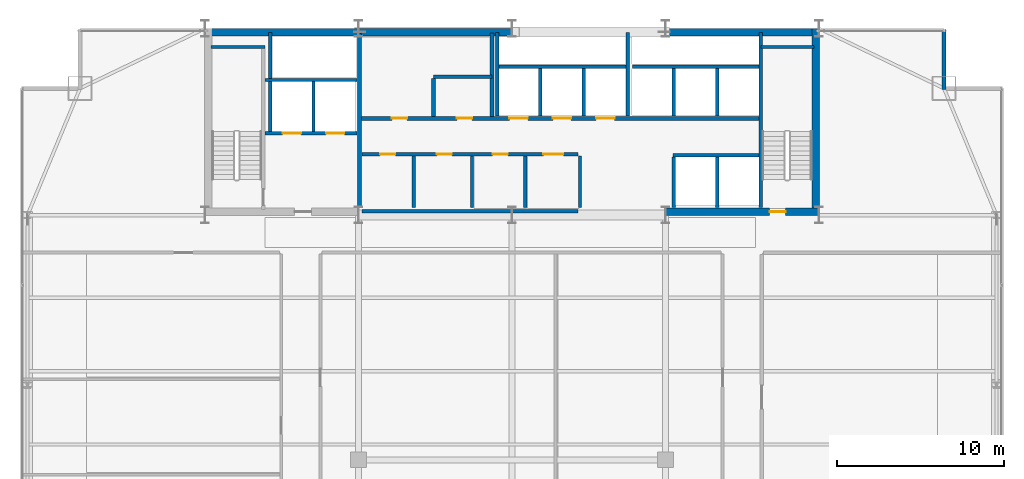
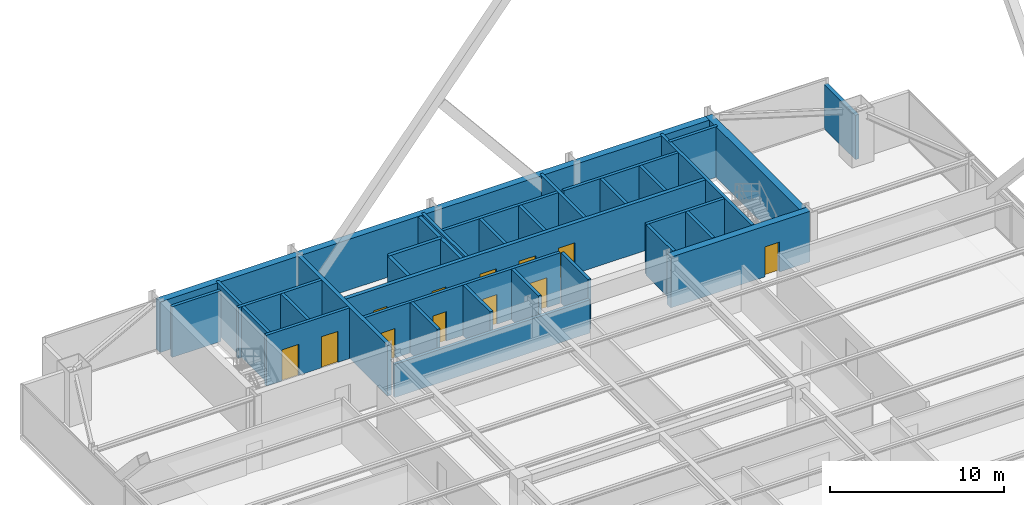
# One storey, part 35 of 38: 33 walls, 12 doors, 12 openings.
"""IFC4 building model written with IfcOpenShell, lengths in metres."""

from ifc_helpers import new_model, si_unit, direction, frame, frame_2d, origin, place, context, subcontext, project, spatial, rectangle, extrude, source, transform, mapped, material, layer, layer_set, type_object, type_shapes, element, fill, save


model = new_model("IFC4")

# Units and contexts
model_context = context("Model", 3, precision=1e-05, world=origin(), true_north=direction((0.0, 1.0)))
body_context = subcontext(model_context, "Body", "Model", "MODEL_VIEW")
ifc_project = project(units=[si_unit("LENGTHUNIT", "METRE"), si_unit("AREAUNIT", "SQUARE_METRE"), si_unit("VOLUMEUNIT", "CUBIC_METRE"), si_unit("PLANEANGLEUNIT", "RADIAN"), si_unit("MASSUNIT", "GRAM", prefix="KILO")], contexts=[model_context])

# Site, building, storey
site_placement = place(None, origin())
site = spatial("IfcSite", under=ifc_project, at=site_placement, CompositionType="ELEMENT")
building_placement = place(site_placement, origin())
building = spatial("IfcBuilding", under=site, at=building_placement, Name="Varnel Quay Broadcast Tower", CompositionType="ELEMENT")
storey_placement = place(building_placement, frame((0.0, 0.0, 118.199951171875)))
storey = spatial("IfcBuildingStorey", under=building, at=storey_placement, Name="L28", CompositionType="ELEMENT", Elevation=118.199951171875)

# Wall
ifc_material_1 = material(Name="Concrete CSA A23.3 C50/60", Category="concrete")
ifc_layer_1 = layer(ifc_material_1, 0.199951171875, Name="Concrete CSA A23.3 C50/60")
ifc_layer_set_1 = layer_set([ifc_layer_1], Name="Concrete CSA A23.3 C50/60")
wall_type_1 = type_object("IfcWallType", Name="Wall_CoreShaftShear200", PredefinedType="SHEAR", material=ifc_layer_set_1)
wall_1_placement = place(storey_placement, frame((15.949951171875, 45.679931640625, 0.0), z_axis=(0.0, 0.0, 1.0), x_axis=(1.0, 0.0, 0.0)))
element("IfcWall", 1, at=wall_1_placement, inside=storey, type_object=wall_type_1, Name="L28 Stair 1 North Structural Wall", PredefinedType="SHEAR", context=body_context, shape_type="SweptSolid", body=[
    extrude(rectangle(XDim=3.22998046875, YDim=0.199951171875, at=frame_2d((1.614990234375, 0.0))), origin(), (0.0, 0.0, 1.0), 3.550048828125),
])

# Wall, openings, doors
wall_2_placement = place(storey_placement, frame((19.199951171875, 40.5, 0.0), z_axis=(0.0, 0.0, 1.0), x_axis=(1.0, 0.0, 0.0)))
wall_2 = element("IfcWall", 2, at=wall_2_placement, inside=storey, type_object=wall_type_1, Name="L28 Firefighter Lift Shaft Front Wall", PredefinedType="SHEAR", context=body_context, shape_type="SweptSolid", body=[
    extrude(rectangle(XDim=5.52001953125, YDim=0.199951171875, at=frame_2d((2.760009765625, 0.0))), origin(), (0.0, 0.0, 1.0), 3.550048828125),
])
opening_1_placement = place(wall_2_placement, frame((1.050048828125, 0.0, 0.0)))
opening_1 = element("IfcOpeningElement", 3, at=opening_1_placement, cuts=wall_2, Name="Opening LD-L28-FE1", PredefinedType="OPENING", context=body_context, shape_type="SweptSolid", body=[
    extrude(rectangle(XDim=1.10009765625, YDim=2.179931640625, at=frame_2d((0.550048828125, 1.08984375))), frame((0.0, 0.10986328125, 0.0), z_axis=(0.0, -1.0, 0.0), x_axis=(1.0, 0.0, 0.0)), (0.0, 0.0, 1.0), 0.219970703125),
])
opening_2_placement = place(wall_2_placement, frame((3.64990234375, 0.0, 0.0)))
opening_2 = element("IfcOpeningElement", 4, at=opening_2_placement, cuts=wall_2, Name="Opening LD-L28-FE2", PredefinedType="OPENING", context=body_context, shape_type="SweptSolid", body=[
    extrude(rectangle(XDim=1.10009765625, YDim=2.179931640625, at=frame_2d((0.550048828125, 1.08984375))), frame((0.0, 0.10986328125, 0.0), z_axis=(0.0, -1.0, 0.0), x_axis=(1.0, 0.0, 0.0)), (0.0, 0.0, 1.0), 0.219970703125),
])
ifc_material_2 = material(Name="Brushed Bronze-Stainless Lift Car & Sliding Doors", Category="steel")
door_type_1 = type_object("IfcDoorType", Name="Door_LiftLanding1100", OperationType="SLIDING_TO_LEFT", PredefinedType="DOOR", material=ifc_material_2)
shared_shape_1 = source(origin(), body_context, "Body", "SweptSolid", [
    extrude(rectangle(XDim=1.10009765625, YDim=2.179931640625, at=frame_2d((0.550048828125, 1.08984375))), frame((0.0, 0.02490234375, 0.0), z_axis=(0.0, -1.0, 0.0), x_axis=(1.0, 0.0, 0.0)), (0.0, 0.0, 1.0), 0.050048828125),
])
type_shapes(door_type_1, [shared_shape_1])
door_1_placement = place(opening_1_placement, frame((1.10009765625, 0.0, 0.0), z_axis=(0.0, 0.0, 1.0), x_axis=(-1.0, 0.0, 0.0)))
door_1 = element("IfcDoor", 5, at=door_1_placement, inside=storey, type_object=door_type_1, Name="L28 Firefighter Lift FE-01 Landing Door", OperationType="SLIDING_TO_LEFT", OverallHeight=2.179931640625, OverallWidth=1.10009765625, PredefinedType="DOOR", context=body_context, shape_type="MappedRepresentation", body=[
    mapped(shared_shape_1, transform((0.0, 0.0, 0.0), x_axis=(1.0, 0.0, 0.0), y_axis=(0.0, 1.0, 0.0), z_axis=(0.0, 0.0, 1.0), scale=1.0)),
])
fill(opening_1, door_1)
door_2_placement = place(opening_2_placement, frame((1.10009765625, 0.0, 0.0), z_axis=(0.0, 0.0, 1.0), x_axis=(-1.0, 0.0, 0.0)))
door_2 = element("IfcDoor", 6, at=door_2_placement, inside=storey, type_object=door_type_1, Name="L28 Firefighter Lift FE-02 Landing Door", OperationType="SLIDING_TO_RIGHT", OverallHeight=2.179931640625, OverallWidth=1.10009765625, PredefinedType="DOOR", context=body_context, shape_type="MappedRepresentation", body=[
    mapped(shared_shape_1, transform((0.0, 0.0, 0.0), x_axis=(1.0, 0.0, 0.0), y_axis=(0.0, 1.0, 0.0), z_axis=(0.0, 0.0, 1.0), scale=1.0)),
])
fill(opening_2, door_2)

# Walls
wall_3_placement = place(storey_placement, frame((19.199951171875, 43.699951171875, 0.0), z_axis=(0.0, 0.0, 1.0), x_axis=(1.0, 0.0, 0.0)))
element("IfcWall", 7, at=wall_3_placement, inside=storey, type_object=wall_type_1, Name="L28 Firefighter Lift Shaft Rear Wall", PredefinedType="SHEAR", context=body_context, shape_type="SweptSolid", body=[
    extrude(rectangle(XDim=5.52001953125, YDim=0.199951171875, at=frame_2d((2.760009765625, 0.0))), origin(), (0.0, 0.0, 1.0), 3.550048828125),
])
wall_4_placement = place(storey_placement, frame((22.10009765625, 40.60009765625, 0.0), z_axis=(0.0, 0.0, 1.0), x_axis=(0.0, 1.0, 0.0)))
element("IfcWall", 8, at=wall_4_placement, inside=storey, type_object=wall_type_1, Name="L28 Firefighter Lift Shaft Divider", PredefinedType="SHEAR", context=body_context, shape_type="SweptSolid", body=[
    extrude(rectangle(XDim=3.0, YDim=0.199951171875, at=frame_2d((1.5, 0.0))), origin(), (0.0, 0.0, 1.0), 3.550048828125),
])
wall_5_placement = place(storey_placement, frame((19.5, 40.60009765625, 0.0), z_axis=(0.0, 0.0, 1.0), x_axis=(0.0, 1.0, 0.0)))
element("IfcWall", 9, at=wall_5_placement, inside=storey, type_object=wall_type_1, Name="L28 Firefighter Lift Shaft West Wall", PredefinedType="SHEAR", context=body_context, shape_type="SweptSolid", body=[
    extrude(rectangle(XDim=5.949951171875, YDim=0.199951171875, at=frame_2d((2.97509765625, 0.0))), origin(), (0.0, 0.0, 1.0), 3.550048828125),
])
wall_6_placement = place(storey_placement, frame((48.919921875, 36.050048828125, 0.0), z_axis=(0.0, 0.0, 1.0), x_axis=(0.0, 1.0, 0.0)))
element("IfcWall", 10, at=wall_6_placement, inside=storey, type_object=wall_type_1, Name="L28 Stair 2 West Structural Wall", PredefinedType="SHEAR", context=body_context, shape_type="SweptSolid", body=[
    extrude(rectangle(XDim=10.5, YDim=0.199951171875, at=frame_2d((5.25, 0.0))), origin(), (0.0, 0.0, 1.0), 3.550048828125),
])
wall_7_placement = place(storey_placement, frame((48.919921875, 45.679931640625, 0.0), z_axis=(0.0, 0.0, 1.0), x_axis=(1.0, 0.0, 0.0)))
element("IfcWall", 11, at=wall_7_placement, inside=storey, type_object=wall_type_1, Name="L28 Stair 2 North Structural Wall", PredefinedType="SHEAR", context=body_context, shape_type="SweptSolid", body=[
    extrude(rectangle(XDim=3.18017578125, YDim=0.199951171875, at=frame_2d((1.590087890625, 0.0))), origin(), (0.0, 0.0, 1.0), 3.550048828125),
])
wall_8_placement = place(storey_placement, frame((33.219970703125, 44.5, 0.0), z_axis=(0.0, 0.0, 1.0), x_axis=(1.0, 0.0, 0.0)))
element("IfcWall", 12, at=wall_8_placement, inside=storey, type_object=wall_type_1, Name="L28 Mid-Rise Lift Shaft Rear Wall", PredefinedType="SHEAR", context=body_context, shape_type="SweptSolid", body=[
    extrude(rectangle(XDim=7.630126953125, YDim=0.199951171875, at=frame_2d((3.81494140625, 0.0))), origin(), (0.0, 0.0, 1.0), 3.550048828125),
])
wall_9_placement = place(storey_placement, frame((33.1201171875, 41.530029296875, 0.0), z_axis=(0.0, 0.0, 1.0), x_axis=(0.0, 1.0, 0.0)))
element("IfcWall", 13, at=wall_9_placement, inside=storey, type_object=wall_type_1, Name="L28 Mid-Rise Lift Shaft Divider 1", PredefinedType="SHEAR", context=body_context, shape_type="SweptSolid", body=[
    extrude(rectangle(XDim=5.02001953125, YDim=0.199951171875, at=frame_2d((2.510009765625, 0.0))), origin(), (0.0, 0.0, 1.0), 3.550048828125),
])
for number, where, z_axis, x_axis, name in (
    (14, (35.699951171875, 41.530029296875, 0.0), (0.0, 0.0, 1.0), (0.0, 1.0, 0.0), "L28 Mid-Rise Lift Shaft Divider 2"),
    (15, (38.300048828125, 41.530029296875, 0.0), (0.0, 0.0, 1.0), (0.0, 1.0, 0.0), "L28 Mid-Rise Lift Shaft Divider 3"),
):
    element("IfcWall", number, at=place(storey_placement, frame(where, z_axis=z_axis, x_axis=x_axis)), inside=storey, type_object=wall_type_1, Name=name, PredefinedType="SHEAR", context=body_context, shape_type="SweptSolid", body=[
        extrude(rectangle(XDim=2.869873046875, YDim=0.199951171875, at=frame_2d((1.43505859375, 0.0))), origin(), (0.0, 0.0, 1.0), 3.550048828125),
    ])
wall_10_placement = place(storey_placement, frame((40.949951171875, 41.530029296875, 0.0), z_axis=(0.0, 0.0, 1.0), x_axis=(0.0, 1.0, 0.0)))
element("IfcWall", 16, at=wall_10_placement, inside=storey, type_object=wall_type_1, Name="L28 Mid-Rise Lift Shaft Divider 4", PredefinedType="SHEAR", context=body_context, shape_type="SweptSolid", body=[
    extrude(rectangle(XDim=5.02001953125, YDim=0.199951171875, at=frame_2d((2.510009765625, 0.0))), origin(), (0.0, 0.0, 1.0), 3.550048828125),
])
wall_11_placement = place(storey_placement, frame((41.219970703125, 44.5, 0.0), z_axis=(0.0, 0.0, 1.0), x_axis=(1.0, 0.0, 0.0)))
element("IfcWall", 17, at=wall_11_placement, inside=storey, type_object=wall_type_1, Name="L28 High-Rise Lift Shaft Rear Wall", PredefinedType="SHEAR", context=body_context, shape_type="SweptSolid", body=[
    extrude(rectangle(XDim=7.580078125, YDim=0.199951171875, at=frame_2d((3.7900390625, 0.0))), origin(), (0.0, 0.0, 1.0), 3.550048828125),
])
for number, where, z_axis, x_axis, name in (
    (18, (43.699951171875, 41.530029296875, 0.0), (0.0, 0.0, 1.0), (0.0, 1.0, 0.0), "L28 High-Rise Lift Shaft Divider 2"),
    (19, (46.300048828125, 41.530029296875, 0.0), (0.0, 0.0, 1.0), (0.0, 1.0, 0.0), "L28 High-Rise Lift Shaft Divider 3"),
):
    element("IfcWall", number, at=place(storey_placement, frame(where, z_axis=z_axis, x_axis=x_axis)), inside=storey, type_object=wall_type_1, Name=name, PredefinedType="SHEAR", context=body_context, shape_type="SweptSolid", body=[
        extrude(rectangle(XDim=2.869873046875, YDim=0.199951171875, at=frame_2d((1.43505859375, 0.0))), origin(), (0.0, 0.0, 1.0), 3.550048828125),
    ])
for number, where, z_axis, x_axis, name in (
    (20, (43.699951171875, 36.050048828125, 0.0), (0.0, 0.0, 1.0), (0.0, 1.0, 0.0), "L28 Express Lift Shaft West Wall"),
    (21, (46.300048828125, 36.050048828125, 0.0), (0.0, 0.0, 1.0), (0.0, 1.0, 0.0), "L28 Express Lift Shaft Divider"),
):
    element("IfcWall", number, at=place(storey_placement, frame(where, z_axis=z_axis, x_axis=x_axis)), inside=storey, type_object=wall_type_1, Name=name, PredefinedType="SHEAR", context=body_context, shape_type="SweptSolid", body=[
        extrude(rectangle(XDim=3.050048828125, YDim=0.199951171875, at=frame_2d((1.52490234375, 0.0))), origin(), (0.0, 0.0, 1.0), 3.550048828125),
    ])
wall_12_placement = place(storey_placement, frame((43.64990234375, 39.199951171875, 0.0), z_axis=(0.0, 0.0, 1.0), x_axis=(1.0, 0.0, 0.0)))
element("IfcWall", 22, at=wall_12_placement, inside=storey, type_object=wall_type_1, Name="L28 Express Lift Shaft North Front Wall", PredefinedType="SHEAR", context=body_context, shape_type="SweptSolid", body=[
    extrude(rectangle(XDim=5.150146484375, YDim=0.199951171875, at=frame_2d((2.5751953125, 0.0))), origin(), (0.0, 0.0, 1.0), 3.550048828125),
])
ifc_layer_2 = layer(ifc_material_1, 0.25, Name="Concrete CSA A23.3 C50/60")
ifc_layer_set_2 = layer_set([ifc_layer_2], Name="Concrete CSA A23.3 C50/60")
wall_type_2 = type_object("IfcWallType", Name="Wall_CoreShaftShear250", PredefinedType="SHEAR", material=ifc_layer_set_2)
wall_13_placement = place(storey_placement, frame((24.85009765625, 36.050048828125, 0.0), z_axis=(0.0, 0.0, 1.0), x_axis=(0.0, 1.0, 0.0)))
element("IfcWall", 23, at=wall_13_placement, inside=storey, type_object=wall_type_2, Name="L28 Firefighting Lobby East Structural Wall", PredefinedType="SHEAR", context=body_context, shape_type="SweptSolid", body=[
    extrude(rectangle(XDim=10.449951171875, YDim=0.25, at=frame_2d((5.22509765625, 0.0))), origin(), (0.0, 0.0, 1.0), 3.550048828125),
])

# Wall, openings, doors
wall_14_placement = place(storey_placement, frame((24.97998046875, 41.39990234375, 0.0), z_axis=(0.0, 0.0, 1.0), x_axis=(1.0, 0.0, 0.0)))
wall_14 = element("IfcWall", 24, at=wall_14_placement, inside=storey, type_object=wall_type_2, Name="L28 North Lift Bank & Reclaimed Suite Wall", PredefinedType="SHEAR", context=body_context, shape_type="SweptSolid", body=[
    extrude(rectangle(XDim=23.820068359375, YDim=0.25, at=frame_2d((11.91015625, 0.0))), origin(), (0.0, 0.0, 1.0), 3.550048828125),
])
opening_3_placement = place(wall_14_placement, frame((8.8701171875, 0.0, 0.0)))
opening_3 = element("IfcOpeningElement", 25, at=opening_3_placement, cuts=wall_14, Name="Opening LD-L28-PM-01", PredefinedType="OPENING", context=body_context, shape_type="SweptSolid", body=[
    extrude(rectangle(XDim=1.10009765625, YDim=2.179931640625, at=frame_2d((0.550048828125, 1.08984375))), frame((0.0, 0.135009765625, 0.0), z_axis=(0.0, -1.0, 0.0), x_axis=(1.0, 0.0, 0.0)), (0.0, 0.0, 1.0), 0.27001953125),
])
opening_4_placement = place(wall_14_placement, frame((11.469970703125, 0.0, 0.0)))
opening_4 = element("IfcOpeningElement", 26, at=opening_4_placement, cuts=wall_14, Name="Opening LD-L28-PM-02", PredefinedType="OPENING", context=body_context, shape_type="SweptSolid", body=[
    extrude(rectangle(XDim=1.10009765625, YDim=2.179931640625, at=frame_2d((0.550048828125, 1.08984375))), frame((0.0, 0.135009765625, 0.0), z_axis=(0.0, -1.0, 0.0), x_axis=(1.0, 0.0, 0.0)), (0.0, 0.0, 1.0), 0.27001953125),
])
opening_5_placement = place(wall_14_placement, frame((14.070068359375, 0.0, 0.0)))
opening_5 = element("IfcOpeningElement", 27, at=opening_5_placement, cuts=wall_14, Name="Opening LD-L28-PM-03", PredefinedType="OPENING", context=body_context, shape_type="SweptSolid", body=[
    extrude(rectangle(XDim=1.10009765625, YDim=2.179931640625, at=frame_2d((0.550048828125, 1.08984375))), frame((0.0, 0.135009765625, 0.0), z_axis=(0.0, -1.0, 0.0), x_axis=(1.0, 0.0, 0.0)), (0.0, 0.0, 1.0), 0.27001953125),
])
opening_6_placement = place(wall_14_placement, frame((1.81005859375, 0.0, 0.0)))
opening_6 = element("IfcOpeningElement", 28, at=opening_6_placement, cuts=wall_14, Name="Opening D-L28-RECA1", PredefinedType="OPENING", context=body_context, shape_type="SweptSolid", body=[
    extrude(rectangle(XDim=0.919921875, YDim=2.080078125, at=frame_2d((0.4599609375, 1.0400390625))), frame((0.0, 0.135009765625, 0.0), z_axis=(0.0, -1.0, 0.0), x_axis=(1.0, 0.0, 0.0)), (0.0, 0.0, 1.0), 0.27001953125),
])
opening_7_placement = place(wall_14_placement, frame((5.7099609375, 0.0, 0.0)))
opening_7 = element("IfcOpeningElement", 29, at=opening_7_placement, cuts=wall_14, Name="Opening D-L28-RECA2", PredefinedType="OPENING", context=body_context, shape_type="SweptSolid", body=[
    extrude(rectangle(XDim=0.919921875, YDim=2.080078125, at=frame_2d((0.4599609375, 1.0400390625))), frame((0.0, 0.135009765625, 0.0), z_axis=(0.0, -1.0, 0.0), x_axis=(1.0, 0.0, 0.0)), (0.0, 0.0, 1.0), 0.27001953125),
])
door_3_placement = place(opening_3_placement, frame((1.10009765625, 0.0, 0.0), z_axis=(0.0, 0.0, 1.0), x_axis=(-1.0, 0.0, 0.0)))
door_3 = element("IfcDoor", 30, at=door_3_placement, inside=storey, type_object=door_type_1, Name="L28 Lift PM-01 Landing Door", OperationType="SLIDING_TO_LEFT", OverallHeight=2.179931640625, OverallWidth=1.10009765625, PredefinedType="DOOR", context=body_context, shape_type="MappedRepresentation", body=[
    mapped(shared_shape_1, transform((0.0, 0.0, 0.0), x_axis=(1.0, 0.0, 0.0), y_axis=(0.0, 1.0, 0.0), z_axis=(0.0, 0.0, 1.0), scale=1.0)),
])
fill(opening_3, door_3)
door_4_placement = place(opening_4_placement, frame((1.10009765625, 0.0, 0.0), z_axis=(0.0, 0.0, 1.0), x_axis=(-1.0, 0.0, 0.0)))
door_4 = element("IfcDoor", 31, at=door_4_placement, inside=storey, type_object=door_type_1, Name="L28 Lift PM-02 Landing Door", OperationType="SLIDING_TO_LEFT", OverallHeight=2.179931640625, OverallWidth=1.10009765625, PredefinedType="DOOR", context=body_context, shape_type="MappedRepresentation", body=[
    mapped(shared_shape_1, transform((0.0, 0.0, 0.0), x_axis=(1.0, 0.0, 0.0), y_axis=(0.0, 1.0, 0.0), z_axis=(0.0, 0.0, 1.0), scale=1.0)),
])
fill(opening_4, door_4)
door_5_placement = place(opening_5_placement, frame((1.10009765625, 0.0, 0.0), z_axis=(0.0, 0.0, 1.0), x_axis=(-1.0, 0.0, 0.0)))
door_5 = element("IfcDoor", 32, at=door_5_placement, inside=storey, type_object=door_type_1, Name="L28 Lift PM-03 Landing Door", OperationType="SLIDING_TO_LEFT", OverallHeight=2.179931640625, OverallWidth=1.10009765625, PredefinedType="DOOR", context=body_context, shape_type="MappedRepresentation", body=[
    mapped(shared_shape_1, transform((0.0, 0.0, 0.0), x_axis=(1.0, 0.0, 0.0), y_axis=(0.0, 1.0, 0.0), z_axis=(0.0, 0.0, 1.0), scale=1.0)),
])
fill(opening_5, door_5)
ifc_material_3 = material(Name="Solid-Core Fire-Rated Acoustic Oak Veneer Door", Category="wood")
door_type_2 = type_object("IfcDoorType", Name="Door_Office920", OperationType="NOTDEFINED", PredefinedType="DOOR", material=ifc_material_3)
shared_shape_2 = source(origin(), body_context, "Body", "SweptSolid", [
    extrude(rectangle(XDim=0.919921875, YDim=2.080078125, at=frame_2d((0.4599609375, 1.0400390625))), frame((0.0, 0.02490234375, 0.0), z_axis=(0.0, -1.0, 0.0), x_axis=(1.0, 0.0, 0.0)), (0.0, 0.0, 1.0), 0.050048828125),
])
type_shapes(door_type_2, [shared_shape_2])
door_6_placement = place(opening_6_placement, origin())
door_6 = element("IfcDoor", 33, at=door_6_placement, inside=storey, type_object=door_type_2, Name="L28 Signal Routing Suite Door", OperationType="SINGLE_SWING_LEFT", OverallHeight=2.080078125, OverallWidth=0.919921875, PredefinedType="DOOR", context=body_context, shape_type="MappedRepresentation", body=[
    mapped(shared_shape_2, transform((0.0, 0.0, 0.0), x_axis=(1.0, 0.0, 0.0), y_axis=(0.0, 1.0, 0.0), z_axis=(0.0, 0.0, 1.0), scale=1.0)),
])
fill(opening_6, door_6)
door_7_placement = place(opening_7_placement, origin())
door_7 = element("IfcDoor", 34, at=door_7_placement, inside=storey, type_object=door_type_2, Name="L28 Archive Media Store Door", OperationType="SINGLE_SWING_RIGHT", OverallHeight=2.080078125, OverallWidth=0.919921875, PredefinedType="DOOR", context=body_context, shape_type="MappedRepresentation", body=[
    mapped(shared_shape_2, transform((0.0, 0.0, 0.0), x_axis=(1.0, 0.0, 0.0), y_axis=(0.0, 1.0, 0.0), z_axis=(0.0, 0.0, 1.0), scale=1.0)),
])
fill(opening_7, door_7)

# Walls
ifc_material_4 = material(Name="Concrete CSA A23.3 C60/75", Category="concrete")
ifc_layer_3 = layer(ifc_material_4, 0.449951171875, Name="Concrete CSA A23.3 C60/75")
ifc_layer_set_3 = layer_set([ifc_layer_3], Name="Concrete CSA A23.3 C60/75")
wall_type_3 = type_object("IfcWallType", Name="Wall_CoreShearExt450", PredefinedType="SHEAR", material=ifc_layer_set_3)
wall_15_placement = place(storey_placement, frame((15.60009765625, 46.574951171875, 0.0), z_axis=(0.0, 0.0, 1.0), x_axis=(1.0, 0.0, 0.0)))
element("IfcWall", 35, at=wall_15_placement, inside=storey, type_object=wall_type_3, Name="L28 North Core Shear Wall", PredefinedType="SHEAR", context=body_context, shape_type="SweptSolid", body=[
    extrude(rectangle(XDim=36.7998046875, YDim=0.449951171875, at=frame_2d((18.39990234375, 0.0))), origin(), (0.0, 0.0, 1.0), 3.550048828125),
])
ifc_layer_4 = layer(ifc_material_4, 0.449951171875, Name="Concrete CSA A23.3 C60/75")
ifc_layer_set_4 = layer_set([ifc_layer_4], Name="Concrete CSA A23.3 C60/75")
wall_type_4 = type_object("IfcWallType", Name="Wall_CoreShearInt450", PredefinedType="SHEAR", material=ifc_layer_set_4)
wall_16_placement = place(storey_placement, frame((52.205078125, 35.570068359375, 0.0), z_axis=(0.0, 0.0, 1.0), x_axis=(0.0, 1.0, 0.0)))
element("IfcWall", 36, at=wall_16_placement, inside=storey, type_object=wall_type_4, Name="L28 East Core Shear Wall", PredefinedType="SHEAR", context=body_context, shape_type="SweptSolid", body=[
    extrude(rectangle(XDim=11.22998046875, YDim=0.449951171875, at=frame_2d((5.614990234375, 0.0))), origin(), (0.0, 0.0, 1.0), 3.550048828125),
])

# Wall, opening, door
wall_17_placement = place(storey_placement, frame((43.199951171875, 35.794921875, 0.0), z_axis=(0.0, 0.0, 1.0), x_axis=(1.0, 0.0, 0.0)))
wall_17 = element("IfcWall", 37, at=wall_17_placement, inside=storey, type_object=wall_type_4, Name="L28 South-East Core Shear Wall", PredefinedType="SHEAR", context=body_context, shape_type="SweptSolid", body=[
    extrude(rectangle(XDim=9.22998046875, YDim=0.449951171875, at=frame_2d((4.614990234375, 0.0))), origin(), (0.0, 0.0, 1.0), 3.550048828125),
])
opening_8_placement = place(wall_17_placement, frame((6.25, 0.0, 0.0)))
opening_8 = element("IfcOpeningElement", 38, at=opening_8_placement, cuts=wall_17, Name="Opening D-L28-S2", PredefinedType="OPENING", context=body_context, shape_type="SweptSolid", body=[
    extrude(rectangle(XDim=0.949951171875, YDim=2.10009765625, at=frame_2d((0.47509765625, 1.050048828125))), frame((0.0, 0.23486328125, 0.0), z_axis=(0.0, -1.0, 0.0), x_axis=(1.0, 0.0, 0.0)), (0.0, 0.0, 1.0), 0.469970703125),
])
ifc_material_5 = material(Name="Insulated Fire-Rated Hollow Steel Door", Category="steel")
door_type_3 = type_object("IfcDoorType", Name="Door_FireStair950", OperationType="NOTDEFINED", PredefinedType="DOOR", material=ifc_material_5)
shared_shape_3 = source(origin(), body_context, "Body", "SweptSolid", [
    extrude(rectangle(XDim=0.949951171875, YDim=2.10009765625, at=frame_2d((0.47509765625, 1.050048828125))), frame((0.0, 0.02490234375, 0.0), z_axis=(0.0, -1.0, 0.0), x_axis=(1.0, 0.0, 0.0)), (0.0, 0.0, 1.0), 0.050048828125),
])
type_shapes(door_type_3, [shared_shape_3])
door_8_placement = place(opening_8_placement, origin())
door_8 = element("IfcDoor", 39, at=door_8_placement, inside=storey, type_object=door_type_3, Name="L28 Stair 2 Fire Door", OperationType="SINGLE_SWING_RIGHT", OverallHeight=2.10009765625, OverallWidth=0.949951171875, PredefinedType="DOOR", context=body_context, shape_type="MappedRepresentation", body=[
    mapped(shared_shape_3, transform((0.0, 0.0, 0.0), x_axis=(1.0, 0.0, 0.0), y_axis=(0.0, 1.0, 0.0), z_axis=(0.0, 0.0, 1.0), scale=1.0)),
])
fill(opening_8, door_8)

# Walls
ifc_material_6 = material(Name="Precast Architectural Concrete C40/50", Category="concrete")
ifc_layer_5 = layer(ifc_material_6, 0.25, Name="Precast Architectural Concrete C40/50")
ifc_layer_set_5 = layer_set([ifc_layer_5], Name="Precast Architectural Concrete C40/50")
wall_type_5 = type_object("IfcWallType", Name="Wall_ExtTerrace250", PredefinedType="SOLIDWALL", material=ifc_layer_set_5)
wall_18_placement = place(storey_placement, frame((59.89990234375, 43.1201171875, 0.0), z_axis=(0.0, 0.0, 1.0), x_axis=(0.0, 1.0, 0.0)))
element("IfcWall", 40, at=wall_18_placement, inside=storey, type_object=wall_type_5, Name="L28 Mega-Column Notch Cladding Wall NNE2", PredefinedType="SOLIDWALL", context=body_context, shape_type="SweptSolid", body=[
    extrude(rectangle(XDim=3.599853515625, YDim=0.25, at=frame_2d((1.7998046875, 0.0))), origin(), (0.0, 0.0, 1.0), 3.108154296875),
])
ifc_material_7 = material(Name="Concrete Blockwork Fire Enclosure C40/50", Category="masonry")
ifc_layer_6 = layer(ifc_material_7, 0.199951171875, Name="Concrete Blockwork Fire Enclosure C40/50")
ifc_layer_set_6 = layer_set([ifc_layer_6], Name="Concrete Blockwork Fire Enclosure C40/50")
wall_type_6 = type_object("IfcWallType", Name="Wall_FireShaft200", PredefinedType="SOLIDWALL", material=ifc_layer_set_6)
wall_19_placement = place(storey_placement, frame((25.0, 35.824951171875, 0.0), z_axis=(0.0, 0.0, 1.0), x_axis=(1.0, 0.0, 0.0)))
element("IfcWall", 41, at=wall_19_placement, inside=storey, type_object=wall_type_6, Name="L28 Accessible Universal Washroom Partition 1", PredefinedType="SOLIDWALL", context=body_context, shape_type="SweptSolid", body=[
    extrude(rectangle(XDim=12.949951171875, YDim=0.199951171875, at=frame_2d((6.47509765625, 0.0))), origin(), (0.0, 0.0, 1.0), 2.324951171875),
])

# Wall, openings, doors
wall_20_placement = place(storey_placement, frame((25.0, 39.25, 0.0), z_axis=(0.0, 0.0, 1.0), x_axis=(1.0, 0.0, 0.0)))
wall_20 = element("IfcWall", 42, at=wall_20_placement, inside=storey, type_object=wall_type_6, Name="L28 Accessible Universal Washroom Partition 3", PredefinedType="SOLIDWALL", context=body_context, shape_type="SweptSolid", body=[
    extrude(rectangle(XDim=12.949951171875, YDim=0.199951171875, at=frame_2d((6.47509765625, 0.0))), origin(), (0.0, 0.0, 1.0), 3.530029296875),
])
opening_9_placement = place(wall_20_placement, frame((1.10009765625, 0.0, 0.0)))
opening_9 = element("IfcOpeningElement", 43, at=opening_9_placement, cuts=wall_20, Name="Opening D-L28-01", PredefinedType="OPENING", context=body_context, shape_type="SweptSolid", body=[
    extrude(rectangle(XDim=0.89990234375, YDim=2.06005859375, at=frame_2d((0.449951171875, 1.030029296875))), frame((0.0, 0.10986328125, 0.0), z_axis=(0.0, -1.0, 0.0), x_axis=(1.0, 0.0, 0.0)), (0.0, 0.0, 1.0), 0.219970703125),
])
opening_10_placement = place(wall_20_placement, frame((4.5, 0.0, 0.0)))
opening_10 = element("IfcOpeningElement", 44, at=opening_10_placement, cuts=wall_20, Name="Opening D-L28-02", PredefinedType="OPENING", context=body_context, shape_type="SweptSolid", body=[
    extrude(rectangle(XDim=0.89990234375, YDim=2.06005859375, at=frame_2d((0.449951171875, 1.030029296875))), frame((0.0, 0.10986328125, 0.0), z_axis=(0.0, -1.0, 0.0), x_axis=(1.0, 0.0, 0.0)), (0.0, 0.0, 1.0), 0.219970703125),
])
opening_11_placement = place(wall_20_placement, frame((7.840087890625, 0.0, 0.0)))
opening_11 = element("IfcOpeningElement", 45, at=opening_11_placement, cuts=wall_20, Name="Opening D-L28-03", PredefinedType="OPENING", context=body_context, shape_type="SweptSolid", body=[
    extrude(rectangle(XDim=0.919921875, YDim=2.080078125, at=frame_2d((0.4599609375, 1.0400390625))), frame((0.0, 0.10986328125, 0.0), z_axis=(0.0, -1.0, 0.0), x_axis=(1.0, 0.0, 0.0)), (0.0, 0.0, 1.0), 0.219970703125),
])
opening_12_placement = place(wall_20_placement, frame((10.875, 0.0, 0.0)))
opening_12 = element("IfcOpeningElement", 46, at=opening_12_placement, cuts=wall_20, Name="Opening D-L28-04", PredefinedType="OPENING", context=body_context, shape_type="SweptSolid", body=[
    extrude(rectangle(XDim=1.199951171875, YDim=2.10009765625, at=frame_2d((0.60009765625, 1.050048828125))), frame((0.0, 0.10986328125, 0.0), z_axis=(0.0, -1.0, 0.0), x_axis=(1.0, 0.0, 0.0)), (0.0, 0.0, 1.0), 0.219970703125),
])
door_type_4 = type_object("IfcDoorType", Name="Door_Washroom900", OperationType="NOTDEFINED", PredefinedType="DOOR", material=ifc_material_3)
shared_shape_4 = source(origin(), body_context, "Body", "SweptSolid", [
    extrude(rectangle(XDim=0.89990234375, YDim=2.06005859375, at=frame_2d((0.449951171875, 1.030029296875))), frame((0.0, 0.02490234375, 0.0), z_axis=(0.0, -1.0, 0.0), x_axis=(1.0, 0.0, 0.0)), (0.0, 0.0, 1.0), 0.050048828125),
])
type_shapes(door_type_4, [shared_shape_4])
door_9_placement = place(opening_9_placement, frame((0.89990234375, 0.0, 0.0), z_axis=(0.0, 0.0, 1.0), x_axis=(-1.0, 0.0, 0.0)))
door_9 = element("IfcDoor", 47, at=door_9_placement, inside=storey, type_object=door_type_4, Name="L28 Accessible Universal Washroom Door D-L28-01", OperationType="SINGLE_SWING_LEFT", OverallHeight=2.06005859375, OverallWidth=0.89990234375, PredefinedType="DOOR", context=body_context, shape_type="MappedRepresentation", body=[
    mapped(shared_shape_4, transform((0.0, 0.0, 0.0), x_axis=(1.0, 0.0, 0.0), y_axis=(0.0, 1.0, 0.0), z_axis=(0.0, 0.0, 1.0), scale=1.0)),
])
fill(opening_9, door_9)
door_10_placement = place(opening_10_placement, frame((0.89990234375, 0.0, 0.0), z_axis=(0.0, 0.0, 1.0), x_axis=(-1.0, 0.0, 0.0)))
door_10 = element("IfcDoor", 48, at=door_10_placement, inside=storey, type_object=door_type_4, Name="L28 Staff Washroom Block Door D-L28-02", OperationType="SINGLE_SWING_RIGHT", OverallHeight=2.06005859375, OverallWidth=0.89990234375, PredefinedType="DOOR", context=body_context, shape_type="MappedRepresentation", body=[
    mapped(shared_shape_4, transform((0.0, 0.0, 0.0), x_axis=(1.0, 0.0, 0.0), y_axis=(0.0, 1.0, 0.0), z_axis=(0.0, 0.0, 1.0), scale=1.0)),
])
fill(opening_10, door_10)
door_type_5 = type_object("IfcDoorType", Name="Door_Plant1200", OperationType="NOTDEFINED", PredefinedType="DOOR", material=ifc_material_5)
shared_shape_5 = source(origin(), body_context, "Body", "SweptSolid", [
    extrude(rectangle(XDim=1.199951171875, YDim=2.10009765625, at=frame_2d((0.60009765625, 1.050048828125))), frame((0.0, 0.02490234375, 0.0), z_axis=(0.0, -1.0, 0.0), x_axis=(1.0, 0.0, 0.0)), (0.0, 0.0, 1.0), 0.050048828125),
])
type_shapes(door_type_5, [shared_shape_5])
door_11_placement = place(opening_12_placement, origin())
door_11 = element("IfcDoor", 49, at=door_11_placement, inside=storey, type_object=door_type_5, Name="L28 Zone Lighting Dimmer Room Door D-L28-04", OperationType="SINGLE_SWING_RIGHT", OverallHeight=2.10009765625, OverallWidth=1.199951171875, PredefinedType="DOOR", context=body_context, shape_type="MappedRepresentation", body=[
    mapped(shared_shape_5, transform((0.0, 0.0, 0.0), x_axis=(1.0, 0.0, 0.0), y_axis=(0.0, 1.0, 0.0), z_axis=(0.0, 0.0, 1.0), scale=1.0)),
])
fill(opening_12, door_11)
door_12_placement = place(opening_11_placement, frame((0.919921875, 0.0, 0.0), z_axis=(0.0, 0.0, 1.0), x_axis=(-1.0, 0.0, 0.0)))
door_12 = element("IfcDoor", 50, at=door_12_placement, inside=storey, type_object=door_type_2, Name="L28 Broadcast First-Aid & Quiet Room Door D-L28-03", OperationType="SINGLE_SWING_LEFT", OverallHeight=2.080078125, OverallWidth=0.919921875, PredefinedType="DOOR", context=body_context, shape_type="MappedRepresentation", body=[
    mapped(shared_shape_2, transform((0.0, 0.0, 0.0), x_axis=(1.0, 0.0, 0.0), y_axis=(0.0, 1.0, 0.0), z_axis=(0.0, 0.0, 1.0), scale=1.0)),
])
fill(opening_11, door_12)

# Walls
for number, where, z_axis, x_axis, name in (
    (51, (34.800048828125, 36.050048828125, 0.0), (0.0, 0.0, 1.0), (0.0, 1.0, 0.0), "L28 Broadcast First-Aid & Quiet Room Partition 5"),
    (52, (38.074951171875, 36.050048828125, 0.0), (0.0, 0.0, 1.0), (0.0, 1.0, 0.0), "L28 Zone Lighting Dimmer Room Partition 6"),
):
    element("IfcWall", number, at=place(storey_placement, frame(where, z_axis=z_axis, x_axis=x_axis)), inside=storey, type_object=wall_type_6, Name=name, PredefinedType="SOLIDWALL", context=body_context, shape_type="SweptSolid", body=[
        extrude(rectangle(XDim=3.099853515625, YDim=0.199951171875, at=frame_2d((1.5498046875, 0.0))), origin(), (0.0, 0.0, 1.0), 3.530029296875),
    ])
ifc_material_8 = material(Name="Steel-Stud Fire-Rated Acoustic Gypsum Partition Assembly", Category="steel")
ifc_layer_7 = layer(ifc_material_8, 0.22509765625, Name="Steel-Stud Fire-Rated Acoustic Gypsum Partition Assembly")
ifc_layer_set_7 = layer_set([ifc_layer_7], Name="Steel-Stud Fire-Rated Acoustic Gypsum Partition Assembly")
wall_type_7 = type_object("IfcWallType", Name="Wall_Partition225", PredefinedType="PARTITIONING", material=ifc_layer_set_7)
wall_21_placement = place(storey_placement, frame((29.300048828125, 41.5, 0.0), z_axis=(0.0, 0.0, 1.0), x_axis=(0.0, 1.0, 0.0)))
element("IfcWall", 53, at=wall_21_placement, inside=storey, type_object=wall_type_7, Name="L28 Signal Routing Suite Partition 22", PredefinedType="PARTITIONING", context=body_context, shape_type="SweptSolid", body=[
    extrude(rectangle(XDim=2.2880859375, YDim=0.22509765625, at=frame_2d((1.14404296875, 0.0))), origin(), (0.0, 0.0, 1.0), 3.530029296875),
])
wall_22_placement = place(storey_placement, frame((29.300048828125, 43.89990234375, 0.0), z_axis=(0.0, 0.0, 1.0), x_axis=(1.0, 0.0, 0.0)))
element("IfcWall", 54, at=wall_22_placement, inside=storey, type_object=wall_type_7, Name="L28 Signal Routing Suite Partition 23", PredefinedType="PARTITIONING", context=body_context, shape_type="SweptSolid", body=[
    extrude(rectangle(XDim=3.5, YDim=0.22509765625, at=frame_2d((1.75, 0.0))), origin(), (0.0, 0.0, 1.0), 3.530029296875),
])
wall_23_placement = place(storey_placement, frame((32.800048828125, 41.5, 0.0), z_axis=(0.0, 0.0, 1.0), x_axis=(0.0, 1.0, 0.0)))
element("IfcWall", 55, at=wall_23_placement, inside=storey, type_object=wall_type_7, Name="L28 Signal Routing Suite Partition 24", PredefinedType="PARTITIONING", context=body_context, shape_type="SweptSolid", body=[
    extrude(rectangle(XDim=5.02001953125, YDim=0.22509765625, at=frame_2d((2.510009765625, 0.0))), origin(), (0.0, 0.0, 1.0), 3.530029296875),
])
ifc_material_9 = material(Name="Fire-Rated Moisture-Resistant Plumbing Chase Partition")
ifc_layer_8 = layer(ifc_material_9, 0.199951171875, Name="Fire-Rated Moisture-Resistant Plumbing Chase Partition")
ifc_layer_set_8 = layer_set([ifc_layer_8], Name="Fire-Rated Moisture-Resistant Plumbing Chase Partition")
wall_type_8 = type_object("IfcWallType", Name="Wall_Plumbing200", PredefinedType="PLUMBINGWALL", material=ifc_layer_set_8)
for number, where, z_axis, x_axis, name in (
    (56, (28.10009765625, 36.050048828125, 0.0), (0.0, 0.0, 1.0), (0.0, 1.0, 0.0), "L28 Accessible Universal Washroom Partition 2"),
    (57, (31.60009765625, 36.050048828125, 0.0), (0.0, 0.0, 1.0), (0.0, 1.0, 0.0), "L28 Staff Washroom Block Partition 4"),
):
    element("IfcWall", number, at=place(storey_placement, frame(where, z_axis=z_axis, x_axis=x_axis)), inside=storey, type_object=wall_type_8, Name=name, PredefinedType="PLUMBINGWALL", context=body_context, shape_type="SweptSolid", body=[
        extrude(rectangle(XDim=3.099853515625, YDim=0.199951171875, at=frame_2d((1.5498046875, 0.0))), origin(), (0.0, 0.0, 1.0), 3.530029296875),
    ])

save(model, "model.ifc")
